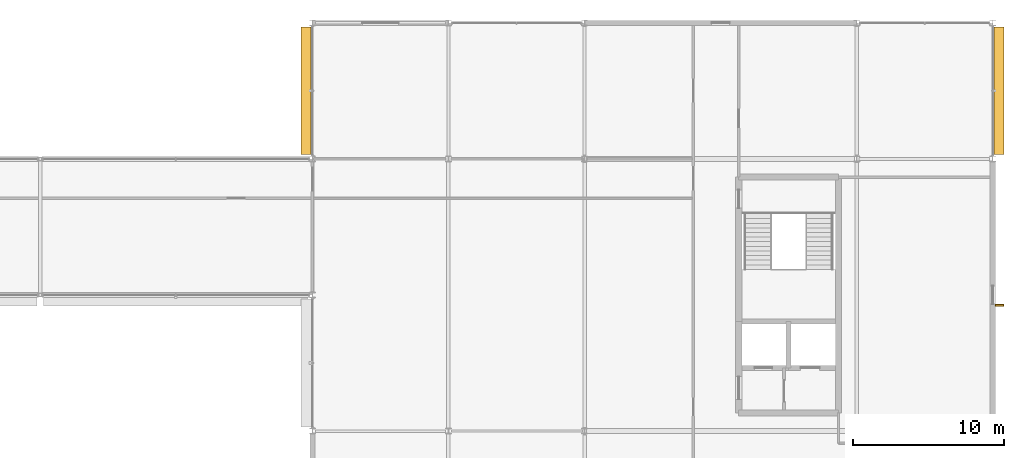
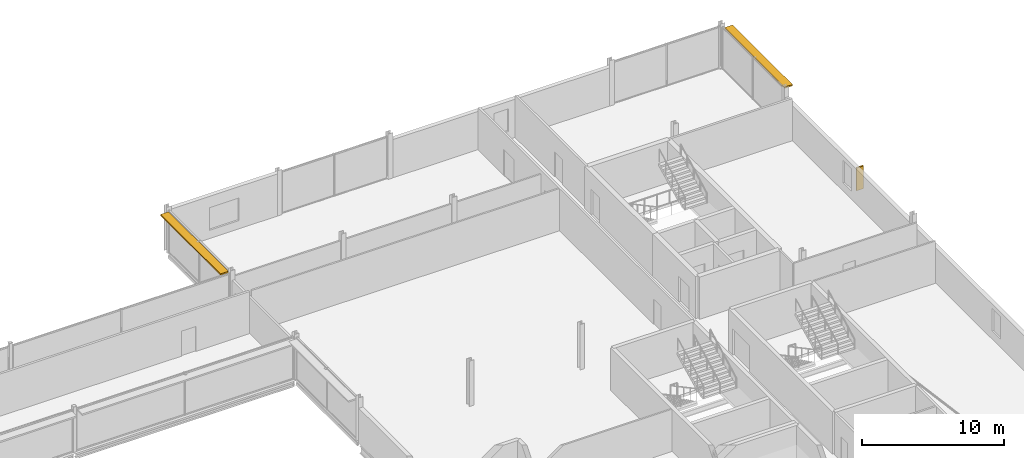
# One storey, part 97 of 98: 3 shading devices.
"""IFC4 building model written with IfcOpenShell, lengths in metres."""

from ifc_helpers import new_model, si_unit, direction, frame, origin, origin_2d, place, context, subcontext, project, spatial, rectangle, extrude, material, type_object, element, save


model = new_model("IFC4")

# Units and contexts
model_context = context("Model", 3, precision=1e-05, world=origin(), true_north=direction((0.0, 1.0)))
body_context = subcontext(model_context, "Body", "Model", "MODEL_VIEW")
ifc_project = project(units=[si_unit("LENGTHUNIT", "METRE"), si_unit("AREAUNIT", "SQUARE_METRE"), si_unit("VOLUMEUNIT", "CUBIC_METRE"), si_unit("PLANEANGLEUNIT", "RADIAN"), si_unit("MASSUNIT", "GRAM", prefix="KILO")], contexts=[model_context])

# Site, building, storey
site_placement = place(None, origin())
site = spatial("IfcSite", under=ifc_project, at=site_placement, CompositionType="ELEMENT")
building_placement = place(site_placement, origin())
building = spatial("IfcBuilding", under=site, at=building_placement, Name="Kisiwana Market Hall", CompositionType="ELEMENT")
storey_placement = place(building_placement, frame((0.0, 0.0, 29.39990234375)))
storey = spatial("IfcBuildingStorey", under=building, at=storey_placement, Name="L06", CompositionType="ELEMENT", Elevation=29.39990234375)

# Shading devices
ifc_material_1 = material(Name="Aluminium alloy 6063-T6", Category="aluminium")
shading_device_type_1 = type_object("IfcShadingDeviceType", Name="SHD-JALOUSIE-H", PredefinedType="JALOUSIE", material=ifc_material_1)
for number, where, z_axis, x_axis, name in (
    (1, (152.580078125, 106.5, 3.43994140625), (0.0, 0.0, 1.0), (0.0, 1.0, 0.0), "Aluminium brise-soleil louvre SHD-152 SD-152"),
    (2, (198.419921875, 106.5, 3.43994140625), (0.0, 0.0, 1.0), (0.0, 1.0, 0.0), "Aluminium brise-soleil louvre SHD-155 SD-155"),
):
    element("IfcShadingDevice", number, at=place(storey_placement, frame(where, z_axis=z_axis, x_axis=x_axis)), inside=storey, type_object=shading_device_type_1, Name=name, PredefinedType="JALOUSIE", context=body_context, shape_type="SweptSolid", body=[
        extrude(rectangle(XDim=8.43798828125, YDim=0.64990234375, at=origin_2d()), origin(), (0.0, 0.0, 1.0), 0.1201171875),
    ])
ifc_material_2 = material(Name="Aluminium alloy 6063-T6", Category="aluminium")
shading_device_type_2 = type_object("IfcShadingDeviceType", Name="SHD-SHUTTER-V", PredefinedType="SHUTTER", material=ifc_material_2)
shading_device_placement = place(storey_placement, frame((198.445068359375, 92.320068359375, 0.7001953125), z_axis=(0.0, 0.0, 1.0), x_axis=(0.0, 1.0, 0.0)))
element("IfcShadingDevice", 3, at=shading_device_placement, inside=storey, type_object=shading_device_type_2, Name="Vertical solar fin SHD-154 SD-154", PredefinedType="SHUTTER", context=body_context, shape_type="SweptSolid", body=[
    extrude(rectangle(XDim=0.1201171875, YDim=0.550048828125, at=origin_2d()), origin(), (0.0, 0.0, 1.0), 1.949951171875),
])

save(model, "model.ifc")
